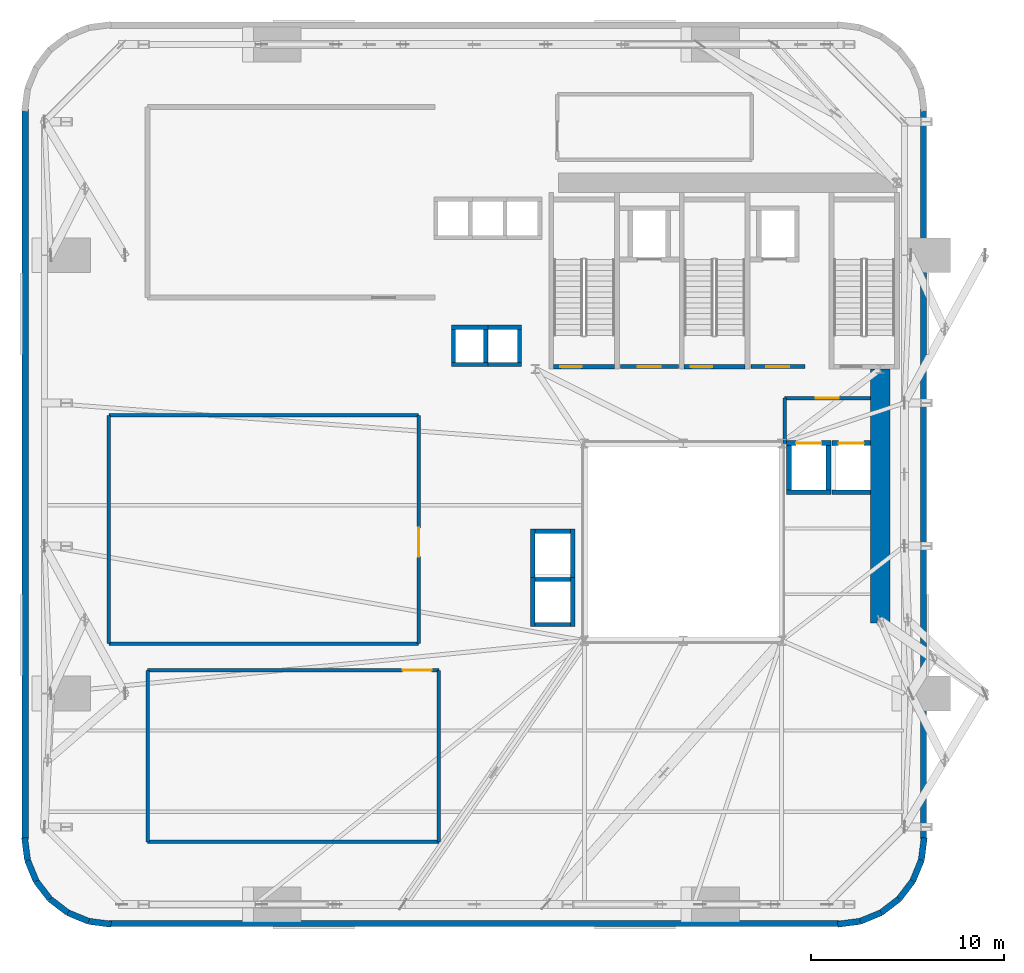
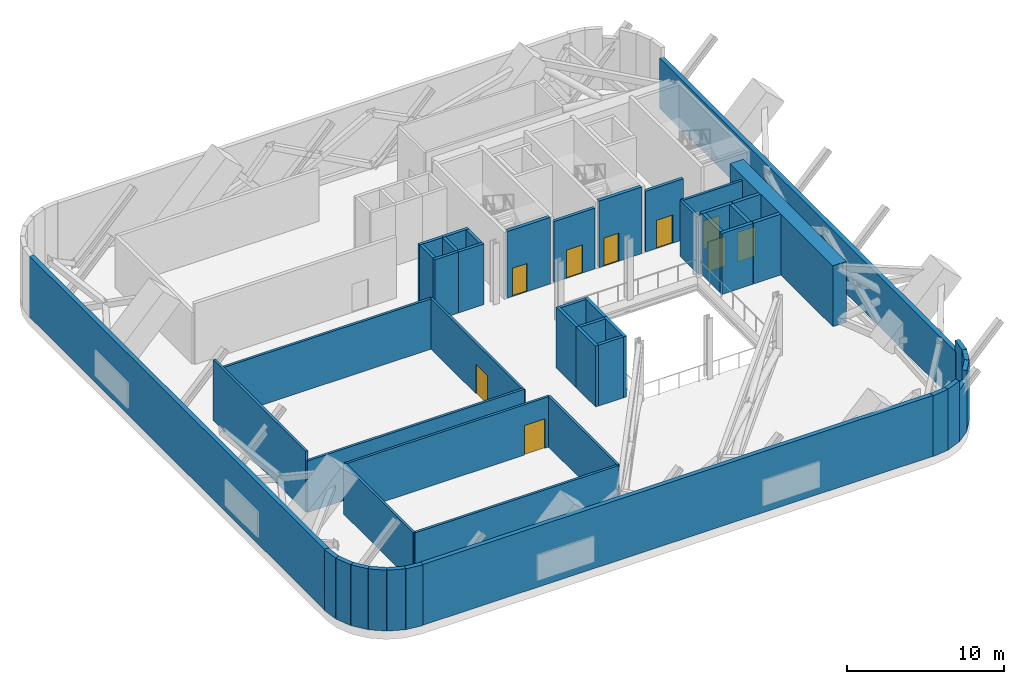
# One storey, part 8 of 12: 50 walls, 9 doors, 9 openings.
"""IFC4 building model written with IfcOpenShell, lengths in metres."""

from ifc_helpers import new_model, si_unit, direction, frame, frame_2d, origin, place, context, subcontext, project, spatial, rectangle, extrude, source, transform, mapped, material, layer, layer_set, type_object, element, fill, save


model = new_model("IFC4")

# Units and contexts
model_context = context("Model", 3, precision=1e-05, world=origin(), true_north=direction((0.0, 1.0)))
body_context = subcontext(model_context, "Body", "Model", "MODEL_VIEW")
ifc_project = project(units=[si_unit("LENGTHUNIT", "METRE"), si_unit("AREAUNIT", "SQUARE_METRE"), si_unit("VOLUMEUNIT", "CUBIC_METRE"), si_unit("PLANEANGLEUNIT", "RADIAN"), si_unit("MASSUNIT", "GRAM", prefix="KILO")], contexts=[model_context])

# Site, building, storey
site_placement = place(None, origin())
site = spatial("IfcSite", under=ifc_project, at=site_placement, CompositionType="ELEMENT")
building_placement = place(site_placement, origin())
building = spatial("IfcBuilding", under=site, at=building_placement, Name="Vardaveli Station Tower", CompositionType="ELEMENT")
storey_placement = place(building_placement, frame((0.0, 0.0, 93.300048828125)))
storey = spatial("IfcBuildingStorey", under=building, at=storey_placement, Name="L24", CompositionType="ELEMENT", Elevation=93.300048828125)

# Walls
ifc_material_1 = material(Name="Concrete C60/75", Category="concrete")
ifc_layer_1 = layer(ifc_material_1, 1.0, Name="Concrete C60/75")
ifc_layer_set_1 = layer_set([ifc_layer_1], Name="Concrete C60/75")
wall_type_1 = type_object("IfcWallType", Name="WAL-CORE-1000", PredefinedType="SHEAR", material=ifc_layer_set_1)
shared_shape_1 = source(origin(), body_context, "Body", "SweptSolid", [
    extrude(rectangle(XDim=13.14990234375, YDim=1.0, at=frame_2d((6.574951171875, 0.0))), origin(), (0.0, 0.0, 1.0), 4.75),
])
wall_1_placement = place(storey_placement, frame((46.5, 17.5, 0.0), z_axis=(0.0, 0.0, 1.0), x_axis=(0.0, 1.0, 0.0)))
element("IfcWall", 1, at=wall_1_placement, inside=storey, type_object=wall_type_1, Name="SW-L24-EAST2", PredefinedType="SHEAR", context=body_context, shape_type="MappedRepresentation", body=[
    mapped(shared_shape_1, transform((0.0, 0.0, 0.0), scale=1.0)),
])
ifc_material_2 = material(Name="Precast concrete C45/55", Category="concrete")
ifc_layer_2 = layer(ifc_material_2, 0.320068359375, Name="Precast concrete C45/55")
ifc_layer_set_2 = layer_set([ifc_layer_2], Name="Precast concrete C45/55")
wall_type_2 = type_object("IfcWallType", Name="WAL-EXT-STONE-320", PredefinedType="SOLIDWALL", material=ifc_layer_set_2)
shared_shape_2 = source(origin(), body_context, "Body", "SweptSolid", [
    extrude(rectangle(XDim=37.7998046875, YDim=0.320068359375, at=frame_2d((18.89990234375, 0.0))), origin(), (0.0, 0.0, 1.0), 4.75),
])
wall_2_placement = place(storey_placement, frame((6.60009765625, 1.9599609375, 0.0), z_axis=(0.0, 0.0, 1.0), x_axis=(1.0, 0.0, 0.0)))
element("IfcWall", 2, at=wall_2_placement, inside=storey, type_object=wall_type_2, Name="EW-L24-S", PredefinedType="SOLIDWALL", context=body_context, shape_type="MappedRepresentation", body=[
    mapped(shared_shape_2, transform((0.0, 0.0, 0.0), scale=1.0)),
])
shared_shape_3 = source(origin(), body_context, "Body", "SweptSolid", [
    extrude(rectangle(XDim=37.800048828125, YDim=0.320068359375, at=frame_2d((18.89990234375, 0.0))), origin(), (0.0, 0.0, 1.0), 4.75),
])
wall_3_placement = place(storey_placement, frame((2.260009765625, 44.10009765625, 0.0), z_axis=(0.0, 0.0, 1.0), x_axis=(0.0, -1.0, 0.0)))
element("IfcWall", 3, at=wall_3_placement, inside=storey, type_object=wall_type_2, Name="EW-L24-W", PredefinedType="SOLIDWALL", context=body_context, shape_type="MappedRepresentation", body=[
    mapped(shared_shape_3, transform((0.0, 0.0, 0.0), scale=1.0)),
])
shared_shape_4 = source(origin(), body_context, "Body", "SweptSolid", [
    extrude(rectangle(XDim=37.800048828125, YDim=0.320068359375, at=frame_2d((18.89990234375, 0.0))), origin(), (0.0, 0.0, 1.0), 3.930908203125),
])
wall_4_placement = place(storey_placement, frame((48.739990234375, 6.300048828125, 0.0), z_axis=(0.0, 0.0, 1.0), x_axis=(0.0, 1.0, 0.0)))
element("IfcWall", 4, at=wall_4_placement, inside=storey, type_object=wall_type_2, Name="EW-L24-E", PredefinedType="SOLIDWALL", context=body_context, shape_type="MappedRepresentation", body=[
    mapped(shared_shape_4, transform((0.0, 0.0, 0.0), scale=1.0)),
])
shared_shape_5 = source(origin(), body_context, "Body", "SweptSolid", [
    extrude(rectangle(XDim=1.170654296875, YDim=0.320068359375, at=frame_2d((0.58544921875, 0.0))), origin(), (0.0, 0.0, 1.0), 4.75),
])
for number, where, z_axis, x_axis, name in (
    (5, (2.224365234375, 6.400634765625, 0.0), (0.0, 0.0, 1.0), (0.128269133229, -0.991739395941, 0.0), "EW-L24-CR1-1"),
    (6, (48.62548828125, 5.23974609375, 0.0), (0.0, 0.0, 1.0), (0.128269133229, 0.991739395941, 0.0), "EW-L24-CR2-6"),
):
    element("IfcWall", number, at=place(storey_placement, frame(where, z_axis=z_axis, x_axis=x_axis)), inside=storey, type_object=wall_type_2, Name=name, PredefinedType="SOLIDWALL", context=body_context, shape_type="MappedRepresentation", body=[
        mapped(shared_shape_5, transform((0.0, 0.0, 0.0), scale=1.0)),
    ])
shared_shape_6 = source(origin(), body_context, "Body", "SweptSolid", [
    extrude(rectangle(XDim=1.1689453125, YDim=0.320068359375, at=frame_2d((0.58447265625, 0.0))), origin(), (0.0, 0.0, 1.0), 4.75),
])
for number, where, z_axis, x_axis, name in (
    (7, (2.37451171875, 5.23974609375, 0.0), (0.0, 0.0, 1.0), (0.381127904695, -0.924522320046, 0.0), "EW-L24-CR1-2"),
    (8, (2.820068359375, 4.158935546875, 0.0), (0.0, 0.0, 1.0), (0.608387696831, -0.793639975269, 0.0), "EW-L24-CR1-3"),
    (9, (47.46875, 3.231201171875, 0.0), (0.0, 0.0, 1.0), (0.608387696831, 0.793639975269, 0.0), "EW-L24-CR2-4"),
    (10, (48.179931640625, 4.158935546875, 0.0), (0.0, 0.0, 1.0), (0.381127904695, 0.924522320046, 0.0), "EW-L24-CR2-5"),
):
    element("IfcWall", number, at=place(storey_placement, frame(where, z_axis=z_axis, x_axis=x_axis)), inside=storey, type_object=wall_type_2, Name=name, PredefinedType="SOLIDWALL", context=body_context, shape_type="MappedRepresentation", body=[
        mapped(shared_shape_6, transform((0.0, 0.0, 0.0), scale=1.0)),
    ])
shared_shape_7 = source(origin(), body_context, "Body", "SweptSolid", [
    extrude(rectangle(XDim=1.168701171875, YDim=0.320068359375, at=frame_2d((0.58447265625, 0.0))), origin(), (0.0, 0.0, 1.0), 4.75),
])
wall_5_placement = place(storey_placement, frame((3.53125, 3.231201171875, 0.0), z_axis=(0.0, 0.0, 1.0), x_axis=(0.793663520347, -0.608356981114, 0.0)))
element("IfcWall", 11, at=wall_5_placement, inside=storey, type_object=wall_type_2, Name="EW-L24-CR1-4", PredefinedType="SOLIDWALL", context=body_context, shape_type="MappedRepresentation", body=[
    mapped(shared_shape_7, transform((0.0, 0.0, 0.0), scale=1.0)),
])
shared_shape_8 = source(origin(), body_context, "Body", "SweptSolid", [
    extrude(rectangle(XDim=1.16943359375, YDim=0.320068359375, at=frame_2d((0.584716796875, 0.0))), origin(), (0.0, 0.0, 1.0), 4.75),
])
for number, where, z_axis, x_axis, name in (
    (12, (4.458740234375, 2.520263671875, 0.0), (0.0, 0.0, 1.0), (0.924479075121, -0.381232789334, 0.0), "EW-L24-CR1-5"),
    (13, (45.460205078125, 2.074462890625, 0.0), (0.0, 0.0, 1.0), (0.924479075121, 0.381232789334, 0.0), "EW-L24-CR2-2"),
):
    element("IfcWall", number, at=place(storey_placement, frame(where, z_axis=z_axis, x_axis=x_axis)), inside=storey, type_object=wall_type_2, Name=name, PredefinedType="SOLIDWALL", context=body_context, shape_type="MappedRepresentation", body=[
        mapped(shared_shape_8, transform((0.0, 0.0, 0.0), scale=1.0)),
    ])
shared_shape_9 = source(origin(), body_context, "Body", "SweptSolid", [
    extrude(rectangle(XDim=1.170166015625, YDim=0.320068359375, at=frame_2d((0.5849609375, 0.0))), origin(), (0.0, 0.0, 1.0), 4.75),
])
for number, where, z_axis, x_axis, name in (
    (14, (5.539794921875, 2.074462890625, 0.0), (0.0, 0.0, 1.0), (0.991762485493, -0.128090485085, 0.0), "EW-L24-CR1-6"),
    (15, (44.299560546875, 1.924560546875, 0.0), (0.0, 0.0, 1.0), (0.991762485493, 0.128090485085, 0.0), "EW-L24-CR2-1"),
):
    element("IfcWall", number, at=place(storey_placement, frame(where, z_axis=z_axis, x_axis=x_axis)), inside=storey, type_object=wall_type_2, Name=name, PredefinedType="SOLIDWALL", context=body_context, shape_type="MappedRepresentation", body=[
        mapped(shared_shape_9, transform((0.0, 0.0, 0.0), scale=1.0)),
    ])
shared_shape_10 = source(origin(), body_context, "Body", "SweptSolid", [
    extrude(rectangle(XDim=1.168701171875, YDim=0.320068359375, at=frame_2d((0.58447265625, 0.0))), origin(), (0.0, 0.0, 1.0), 4.029052734375),
])
wall_6_placement = place(storey_placement, frame((46.541259765625, 2.520263671875, 0.0), z_axis=(0.0, 0.0, 1.0), x_axis=(0.793663520347, 0.608356981114, 0.0)))
element("IfcWall", 16, at=wall_6_placement, inside=storey, type_object=wall_type_2, Name="EW-L24-CR2-3", PredefinedType="SOLIDWALL", context=body_context, shape_type="MappedRepresentation", body=[
    mapped(shared_shape_10, transform((0.0, 0.0, 0.0), scale=1.0)),
])

# Wall, opening, door
ifc_material_3 = material(Name="Concrete C40/50", Category="concrete")
ifc_layer_3 = layer(ifc_material_3, 0.25, Name="Concrete C40/50")
ifc_layer_set_3 = layer_set([ifc_layer_3], Name="Concrete C40/50")
wall_type_3 = type_object("IfcWallType", Name="WAL-SHAFT-250", PredefinedType="SOLIDWALL", material=ifc_layer_set_3)
shared_shape_11 = source(origin(), body_context, "Body", "SweptSolid", [
    extrude(rectangle(XDim=3.14990234375, YDim=0.25, at=frame_2d((1.574951171875, 0.0))), origin(), (0.0, 0.0, 1.0), 5.199951171875),
])
wall_7_placement = place(storey_placement, frame((29.60009765625, 30.77490234375, 0.0), z_axis=(0.0, 0.0, 1.0), x_axis=(1.0, 0.0, 0.0)))
wall_7 = element("IfcWall", 17, at=wall_7_placement, inside=storey, type_object=wall_type_3, Name="W-L24-ST-1S", PredefinedType="SOLIDWALL", context=body_context, shape_type="MappedRepresentation", body=[
    mapped(shared_shape_11, transform((0.0, 0.0, 0.0), scale=1.0)),
])
shared_shape_12 = source(origin(), body_context, "Body", "SweptSolid", [
    extrude(rectangle(XDim=1.10009765625, YDim=2.199951171875, at=frame_2d((0.550048828125, 1.10009765625))), frame((0.0, 0.135009765625, 0.0), z_axis=(0.0, -1.0, 0.0), x_axis=(1.0, 0.0, 0.0)), (0.0, 0.0, 1.0), 0.27001953125),
])
opening_1_placement = place(wall_7_placement, frame((0.35009765625, 0.0, 0.0)))
opening_1 = element("IfcOpeningElement", 18, at=opening_1_placement, cuts=wall_7, Name="Opening D-04", PredefinedType="OPENING", context=body_context, shape_type="MappedRepresentation", body=[
    mapped(shared_shape_12, transform((0.0, 0.0, 0.0), scale=1.0)),
])
ifc_material_4 = material(Name="Steel smokeproof fire doorset", Category="steel")
door_type_1 = type_object("IfcDoorType", Name="DR-ST-1100x2200", OperationType="NOTDEFINED", PredefinedType="DOOR", material=ifc_material_4)
shared_shape_13 = source(origin(), body_context, "Body", "SweptSolid", [
    extrude(rectangle(XDim=1.10009765625, YDim=2.199951171875, at=frame_2d((0.550048828125, 1.10009765625))), frame((0.0, 0.02490234375, 0.0), z_axis=(0.0, -1.0, 0.0), x_axis=(1.0, 0.0, 0.0)), (0.0, 0.0, 1.0), 0.050048828125),
])
door_1_placement = place(opening_1_placement, origin())
door_1 = element("IfcDoor", 19, at=door_1_placement, inside=storey, type_object=door_type_1, Name="DST-1-L24", OperationType="SINGLE_SWING_LEFT", OverallHeight=2.199951171875, OverallWidth=1.10009765625, PredefinedType="DOOR", context=body_context, shape_type="MappedRepresentation", body=[
    mapped(shared_shape_13, transform((0.0, 0.0, 0.0), scale=1.0)),
])
fill(opening_1, door_1)

wall_8_placement = place(storey_placement, frame((36.35009765625, 30.77490234375, 0.0), z_axis=(0.0, 0.0, 1.0), x_axis=(1.0, 0.0, 0.0)))
wall_8 = element("IfcWall", 20, at=wall_8_placement, inside=storey, type_object=wall_type_3, Name="W-L24-ST-2S", PredefinedType="SOLIDWALL", context=body_context, shape_type="MappedRepresentation", body=[
    mapped(shared_shape_11, transform((0.0, 0.0, 0.0), scale=1.0)),
])
opening_2_placement = place(wall_8_placement, frame((0.35009765625, 0.0, 0.0)))
opening_2 = element("IfcOpeningElement", 21, at=opening_2_placement, cuts=wall_8, Name="Opening D-04", PredefinedType="OPENING", context=body_context, shape_type="MappedRepresentation", body=[
    mapped(shared_shape_12, transform((0.0, 0.0, 0.0), scale=1.0)),
])
door_2_placement = place(opening_2_placement, origin())
door_2 = element("IfcDoor", 22, at=door_2_placement, inside=storey, type_object=door_type_1, Name="DST-2-L24", OperationType="SINGLE_SWING_LEFT", OverallHeight=2.199951171875, OverallWidth=1.10009765625, PredefinedType="DOOR", context=body_context, shape_type="MappedRepresentation", body=[
    mapped(shared_shape_13, transform((0.0, 0.0, 0.0), scale=1.0)),
])
fill(opening_2, door_2)

ifc_layer_4 = layer(ifc_material_3, 0.219970703125, Name="Concrete C40/50")
ifc_layer_set_4 = layer_set([ifc_layer_4], Name="Concrete C40/50")
wall_type_4 = type_object("IfcWallType", Name="WAL-FFLOBBY-220", PredefinedType="SOLIDWALL", material=ifc_layer_set_4)
shared_shape_14 = source(origin(), body_context, "Body", "SweptSolid", [
    extrude(rectangle(XDim=3.0, YDim=0.219970703125, at=frame_2d((1.5, 0.0))), origin(), (0.0, 0.0, 1.0), 4.75),
])
wall_9_placement = place(storey_placement, frame((33.050048828125, 30.780029296875, 0.0), z_axis=(0.0, 0.0, 1.0), x_axis=(1.0, 0.0, 0.0)))
wall_9 = element("IfcWall", 23, at=wall_9_placement, inside=storey, type_object=wall_type_4, Name="W-L24-FFL1S", PredefinedType="SOLIDWALL", context=body_context, shape_type="MappedRepresentation", body=[
    mapped(shared_shape_14, transform((0.0, 0.0, 0.0), scale=1.0)),
])
shared_shape_15 = source(origin(), body_context, "Body", "SweptSolid", [
    extrude(rectangle(XDim=1.199951171875, YDim=2.199951171875, at=frame_2d((0.60009765625, 1.10009765625))), frame((0.0, 0.1201171875, 0.0), z_axis=(0.0, -1.0, 0.0), x_axis=(1.0, 0.0, 0.0)), (0.0, 0.0, 1.0), 0.239990234375),
])
opening_3_placement = place(wall_9_placement, frame((0.89990234375, 0.0, 0.0)))
opening_3 = element("IfcOpeningElement", 24, at=opening_3_placement, cuts=wall_9, Name="Opening D-03", PredefinedType="OPENING", context=body_context, shape_type="MappedRepresentation", body=[
    mapped(shared_shape_15, transform((0.0, 0.0, 0.0), scale=1.0)),
])
door_type_2 = type_object("IfcDoorType", Name="DR-FFL-1200x2200", OperationType="NOTDEFINED", PredefinedType="DOOR", material=ifc_material_4)
shared_shape_16 = source(origin(), body_context, "Body", "SweptSolid", [
    extrude(rectangle(XDim=1.199951171875, YDim=2.199951171875, at=frame_2d((0.60009765625, 1.10009765625))), frame((0.0, 0.02490234375, 0.0), z_axis=(0.0, -1.0, 0.0), x_axis=(1.0, 0.0, 0.0)), (0.0, 0.0, 1.0), 0.050048828125),
])
door_3_placement = place(opening_3_placement, origin())
door_3 = element("IfcDoor", 25, at=door_3_placement, inside=storey, type_object=door_type_2, Name="DFFL1-L24", OperationType="SINGLE_SWING_LEFT", OverallHeight=2.199951171875, OverallWidth=1.199951171875, PredefinedType="DOOR", context=body_context, shape_type="MappedRepresentation", body=[
    mapped(shared_shape_16, transform((0.0, 0.0, 0.0), scale=1.0)),
])
fill(opening_3, door_3)

shared_shape_17 = source(origin(), body_context, "Body", "SweptSolid", [
    extrude(rectangle(XDim=2.800048828125, YDim=0.219970703125, at=frame_2d((1.39990234375, 0.0))), origin(), (0.0, 0.0, 1.0), 4.75),
])
wall_10_placement = place(storey_placement, frame((39.800048828125, 30.780029296875, 0.0), z_axis=(0.0, 0.0, 1.0), x_axis=(1.0, 0.0, 0.0)))
wall_10 = element("IfcWall", 26, at=wall_10_placement, inside=storey, type_object=wall_type_4, Name="W-L24-FFL2S", PredefinedType="SOLIDWALL", context=body_context, shape_type="MappedRepresentation", body=[
    mapped(shared_shape_17, transform((0.0, 0.0, 0.0), scale=1.0)),
])
opening_4_placement = place(wall_10_placement, frame((0.800048828125, 0.0, 0.0)))
opening_4 = element("IfcOpeningElement", 27, at=opening_4_placement, cuts=wall_10, Name="Opening D-03", PredefinedType="OPENING", context=body_context, shape_type="MappedRepresentation", body=[
    mapped(shared_shape_15, transform((0.0, 0.0, 0.0), scale=1.0)),
])
door_4_placement = place(opening_4_placement, origin())
door_4 = element("IfcDoor", 28, at=door_4_placement, inside=storey, type_object=door_type_2, Name="DFFL2-L24", OperationType="SINGLE_SWING_RIGHT", OverallHeight=2.199951171875, OverallWidth=1.199951171875, PredefinedType="DOOR", context=body_context, shape_type="MappedRepresentation", body=[
    mapped(shared_shape_16, transform((0.0, 0.0, 0.0), scale=1.0)),
])
fill(opening_4, door_4)

# Walls
shared_shape_18 = source(origin(), body_context, "Body", "SweptSolid", [
    extrude(rectangle(XDim=1.89013671875, YDim=0.219970703125, at=frame_2d((0.945068359375, 0.0))), origin(), (0.0, 0.0, 1.0), 4.75),
])
for number, where, z_axis, x_axis, name in (
    (29, (24.304931640625, 30.889892578125, 0.0), (0.0, 0.0, 1.0), (1.0, 0.0, 0.0), "SHW-SHU-01-L24-S"),
    (30, (24.304931640625, 32.81005859375, 0.0), (0.0, 0.0, 1.0), (1.0, 0.0, 0.0), "SHW-SHU-01-L24-N"),
    (31, (26.054931640625, 30.889892578125, 0.0), (0.0, 0.0, 1.0), (1.0, 0.0, 0.0), "SHW-SHU-02-L24-S"),
    (32, (26.054931640625, 32.81005859375, 0.0), (0.0, 0.0, 1.0), (1.0, 0.0, 0.0), "SHW-SHU-02-L24-N"),
):
    element("IfcWall", number, at=place(storey_placement, frame(where, z_axis=z_axis, x_axis=x_axis)), inside=storey, type_object=wall_type_4, Name=name, PredefinedType="SOLIDWALL", context=body_context, shape_type="MappedRepresentation", body=[
        mapped(shared_shape_18, transform((0.0, 0.0, 0.0), scale=1.0)),
    ])
shared_shape_19 = source(origin(), body_context, "Body", "SweptSolid", [
    extrude(rectangle(XDim=1.699951171875, YDim=0.219970703125, at=frame_2d((0.85009765625, 0.0))), origin(), (0.0, 0.0, 1.0), 4.75),
])
for number, where, z_axis, x_axis, name in (
    (33, (24.4150390625, 31.0, 0.0), (0.0, 0.0, 1.0), (0.0, 1.0, 0.0), "SHW-SHU-01-L24-W"),
    (34, (26.0849609375, 31.0, 0.0), (0.0, 0.0, 1.0), (0.0, 1.0, 0.0), "SHW-SHU-01-L24-E"),
    (35, (27.8349609375, 31.0, 0.0), (0.0, 0.0, 1.0), (0.0, 1.0, 0.0), "SHW-SHU-02-L24-E"),
):
    element("IfcWall", number, at=place(storey_placement, frame(where, z_axis=z_axis, x_axis=x_axis)), inside=storey, type_object=wall_type_4, Name=name, PredefinedType="SOLIDWALL", context=body_context, shape_type="MappedRepresentation", body=[
        mapped(shared_shape_19, transform((0.0, 0.0, 0.0), scale=1.0)),
    ])
shared_shape_20 = source(origin(), body_context, "Body", "SweptSolid", [
    extrude(rectangle(XDim=1.85009765625, YDim=0.219970703125, at=frame_2d((0.925048828125, 0.0))), origin(), (0.0, 0.0, 1.0), 4.75),
])
for number, where, z_axis, x_axis, name in (
    (36, (28.625, 17.43994140625, 0.0), (0.0, 0.0, 1.0), (1.0, 0.0, 0.0), "SHW-OBS-01-L24-S"),
    (37, (28.625, 19.760009765625, 0.0), (0.0, 0.0, 1.0), (1.0, 0.0, 0.0), "SHW-OBS-01-L24-N"),
    (38, (28.625, 22.260009765625, 0.0), (0.0, 0.0, 1.0), (1.0, 0.0, 0.0), "SHW-OBS-02-L24-N"),
):
    element("IfcWall", number, at=place(storey_placement, frame(where, z_axis=z_axis, x_axis=x_axis)), inside=storey, type_object=wall_type_4, Name=name, PredefinedType="SOLIDWALL", context=body_context, shape_type="MappedRepresentation", body=[
        mapped(shared_shape_20, transform((0.0, 0.0, 0.0), scale=1.0)),
    ])
shared_shape_21 = source(origin(), body_context, "Body", "SweptSolid", [
    extrude(rectangle(XDim=2.5400390625, YDim=0.219970703125, at=frame_2d((1.27001953125, 0.0))), origin(), (0.0, 0.0, 1.0), 4.75),
])
for number, where, z_axis, x_axis, name in (
    (39, (28.514892578125, 17.330078125, 0.0), (0.0, 0.0, 1.0), (0.0, 1.0, 0.0), "SHW-OBS-01-L24-W"),
    (40, (30.5849609375, 17.330078125, 0.0), (0.0, 0.0, 1.0), (0.0, 1.0, 0.0), "SHW-OBS-01-L24-E"),
    (41, (28.514892578125, 19.830078125, 0.0), (0.0, 0.0, 1.0), (0.0, 1.0, 0.0), "SHW-OBS-02-L24-W"),
    (42, (30.5849609375, 19.830078125, 0.0), (0.0, 0.0, 1.0), (0.0, 1.0, 0.0), "SHW-OBS-02-L24-E"),
):
    element("IfcWall", number, at=place(storey_placement, frame(where, z_axis=z_axis, x_axis=x_axis)), inside=storey, type_object=wall_type_4, Name=name, PredefinedType="SOLIDWALL", context=body_context, shape_type="MappedRepresentation", body=[
        mapped(shared_shape_21, transform((0.0, 0.0, 0.0), scale=1.0)),
    ])
shared_shape_22 = source(origin(), body_context, "Body", "SweptSolid", [
    extrude(rectangle(XDim=2.300048828125, YDim=0.25, at=frame_2d((1.14990234375, 0.0))), origin(), (0.0, 0.0, 1.0), 4.75),
])
wall_11_placement = place(storey_placement, frame((41.64990234375, 24.27490234375, 0.0), z_axis=(0.0, 0.0, 1.0), x_axis=(1.0, 0.0, 0.0)))
element("IfcWall", 43, at=wall_11_placement, inside=storey, type_object=wall_type_3, Name="SHW-SRV-01-L24-S", PredefinedType="SOLIDWALL", context=body_context, shape_type="MappedRepresentation", body=[
    mapped(shared_shape_22, transform((0.0, 0.0, 0.0), scale=1.0)),
])

# Wall, opening, door
wall_12_placement = place(storey_placement, frame((41.64990234375, 26.824951171875, 0.0), z_axis=(0.0, 0.0, 1.0), x_axis=(1.0, 0.0, 0.0)))
wall_12 = element("IfcWall", 44, at=wall_12_placement, inside=storey, type_object=wall_type_3, Name="SHW-SRV-01-L24-N", PredefinedType="SOLIDWALL", context=body_context, shape_type="MappedRepresentation", body=[
    mapped(shared_shape_22, transform((0.0, 0.0, 0.0), scale=1.0)),
])
shared_shape_23 = source(origin(), body_context, "Body", "SweptSolid", [
    extrude(rectangle(XDim=1.300048828125, YDim=2.300048828125, at=frame_2d((0.64990234375, 1.14990234375))), frame((0.0, 0.135009765625, 0.0), z_axis=(0.0, -1.0, 0.0), x_axis=(1.0, 0.0, 0.0)), (0.0, 0.0, 1.0), 0.27001953125),
])
opening_5_placement = place(wall_12_placement, frame((0.5, 0.0, 0.0)))
opening_5 = element("IfcOpeningElement", 45, at=opening_5_placement, cuts=wall_12, Name="Opening LD-03", PredefinedType="OPENING", context=body_context, shape_type="MappedRepresentation", body=[
    mapped(shared_shape_23, transform((0.0, 0.0, 0.0), scale=1.0)),
])
ifc_material_5 = material(Name="Brushed stainless steel", Category="steel")
door_type_3 = type_object("IfcDoorType", Name="DR-LD-1300x2300", OperationType="DOUBLE_DOOR_SLIDING", PredefinedType="DOOR", material=ifc_material_5)
shared_shape_24 = source(origin(), body_context, "Body", "SweptSolid", [
    extrude(rectangle(XDim=1.300048828125, YDim=2.300048828125, at=frame_2d((0.64990234375, 1.14990234375))), frame((0.0, 0.02490234375, 0.0), z_axis=(0.0, -1.0, 0.0), x_axis=(1.0, 0.0, 0.0)), (0.0, 0.0, 1.0), 0.050048828125),
])
door_5_placement = place(opening_5_placement, origin())
door_5 = element("IfcDoor", 46, at=door_5_placement, inside=storey, type_object=door_type_3, Name="LD-SRV-01-L24", OperationType="DOUBLE_DOOR_SLIDING", OverallHeight=2.300048828125, OverallWidth=1.300048828125, PredefinedType="DOOR", context=body_context, shape_type="MappedRepresentation", body=[
    mapped(shared_shape_24, transform((0.0, 0.0, 0.0), scale=1.0)),
])
fill(opening_5, door_5)

# Walls
for number, where, z_axis, x_axis, name in (
    (47, (41.77490234375, 24.39990234375, 0.0), (0.0, 0.0, 1.0), (0.0, 1.0, 0.0), "SHW-SRV-01-L24-W"),
    (48, (43.824951171875, 24.39990234375, 0.0), (0.0, 0.0, 1.0), (0.0, 1.0, 0.0), "SHW-SRV-01-L24-E"),
):
    element("IfcWall", number, at=place(storey_placement, frame(where, z_axis=z_axis, x_axis=x_axis)), inside=storey, type_object=wall_type_3, Name=name, PredefinedType="SOLIDWALL", context=body_context, shape_type="MappedRepresentation", body=[
        mapped(shared_shape_22, transform((0.0, 0.0, 0.0), scale=1.0)),
    ])
shared_shape_25 = source(origin(), body_context, "Body", "SweptSolid", [
    extrude(rectangle(XDim=2.0, YDim=0.25, at=frame_2d((1.0, 0.0))), origin(), (0.0, 0.0, 1.0), 4.75),
])
wall_13_placement = place(storey_placement, frame((44.0, 24.27490234375, 0.0), z_axis=(0.0, 0.0, 1.0), x_axis=(1.0, 0.0, 0.0)))
element("IfcWall", 49, at=wall_13_placement, inside=storey, type_object=wall_type_3, Name="SHW-SRV-02-L24-S", PredefinedType="SOLIDWALL", context=body_context, shape_type="MappedRepresentation", body=[
    mapped(shared_shape_25, transform((0.0, 0.0, 0.0), scale=1.0)),
])

# Wall, opening, door
wall_14_placement = place(storey_placement, frame((44.0, 26.824951171875, 0.0), z_axis=(0.0, 0.0, 1.0), x_axis=(1.0, 0.0, 0.0)))
wall_14 = element("IfcWall", 50, at=wall_14_placement, inside=storey, type_object=wall_type_3, Name="SHW-SRV-02-L24-N", PredefinedType="SOLIDWALL", context=body_context, shape_type="MappedRepresentation", body=[
    mapped(shared_shape_25, transform((0.0, 0.0, 0.0), scale=1.0)),
])
opening_6_placement = place(wall_14_placement, frame((0.35009765625, 0.0, 0.0)))
opening_6 = element("IfcOpeningElement", 51, at=opening_6_placement, cuts=wall_14, Name="Opening LD-03", PredefinedType="OPENING", context=body_context, shape_type="MappedRepresentation", body=[
    mapped(shared_shape_23, transform((0.0, 0.0, 0.0), scale=1.0)),
])
door_6_placement = place(opening_6_placement, origin())
door_6 = element("IfcDoor", 52, at=door_6_placement, inside=storey, type_object=door_type_3, Name="LD-SRV-02-L24", OperationType="DOUBLE_DOOR_SLIDING", OverallHeight=2.300048828125, OverallWidth=1.300048828125, PredefinedType="DOOR", context=body_context, shape_type="MappedRepresentation", body=[
    mapped(shared_shape_24, transform((0.0, 0.0, 0.0), scale=1.0)),
])
fill(opening_6, door_6)

ifc_material_6 = material(Name="Fire-rated gypsum stud partition")
ifc_layer_5 = layer(ifc_material_6, 0.179931640625, Name="Fire-rated gypsum stud partition")
ifc_layer_set_5 = layer_set([ifc_layer_5], Name="Fire-rated gypsum stud partition")
wall_type_5 = type_object("IfcWallType", Name="WAL-CORR-180", PredefinedType="PARTITIONING", material=ifc_layer_set_5)
shared_shape_26 = source(origin(), body_context, "Body", "SweptSolid", [
    extrude(rectangle(XDim=15.06982421875, YDim=0.179931640625, at=frame_2d((7.534912109375, 0.0))), origin(), (0.0, 0.0, 1.0), 3.927978515625),
])
wall_15_placement = place(storey_placement, frame((8.590087890625, 15.06005859375, 0.0), z_axis=(0.0, 0.0, 1.0), x_axis=(1.0, 0.0, 0.0)))
wall_15 = element("IfcWall", 53, at=wall_15_placement, inside=storey, type_object=wall_type_5, Name="W-L24-PL1-N", PredefinedType="PARTITIONING", context=body_context, shape_type="MappedRepresentation", body=[
    mapped(shared_shape_26, transform((0.0, 0.0, 0.0), scale=1.0)),
])
shared_shape_27 = source(origin(), body_context, "Body", "SweptSolid", [
    extrude(rectangle(XDim=1.5, YDim=2.300048828125, at=frame_2d((0.75, 1.14990234375))), frame((0.0, 0.10009765625, 0.0), z_axis=(0.0, -1.0, 0.0), x_axis=(1.0, 0.0, 0.0)), (0.0, 0.0, 1.0), 0.199951171875),
])
opening_7_placement = place(wall_15_placement, frame((13.199951171875, 0.0, 0.0)))
opening_7 = element("IfcOpeningElement", 54, at=opening_7_placement, cuts=wall_15, Name="Opening D-02", PredefinedType="OPENING", context=body_context, shape_type="MappedRepresentation", body=[
    mapped(shared_shape_27, transform((0.0, 0.0, 0.0), scale=1.0)),
])
ifc_material_7 = material(Name="Galvanised steel acoustic doorset", Category="steel")
door_type_4 = type_object("IfcDoorType", Name="DR-PLANT-1500x2300", OperationType="DOUBLE_DOOR_SINGLE_SWING", PredefinedType="DOOR", material=ifc_material_7)
shared_shape_28 = source(origin(), body_context, "Body", "SweptSolid", [
    extrude(rectangle(XDim=1.5, YDim=2.300048828125, at=frame_2d((0.75, 1.14990234375))), frame((0.0, 0.02490234375, 0.0), z_axis=(0.0, -1.0, 0.0), x_axis=(1.0, 0.0, 0.0)), (0.0, 0.0, 1.0), 0.050048828125),
])
door_7_placement = place(opening_7_placement, origin())
door_7 = element("IfcDoor", 55, at=door_7_placement, inside=storey, type_object=door_type_4, Name="D-L24-P1", OperationType="DOUBLE_DOOR_SINGLE_SWING", OverallHeight=2.300048828125, OverallWidth=1.5, PredefinedType="DOOR", context=body_context, shape_type="MappedRepresentation", body=[
    mapped(shared_shape_28, transform((0.0, 0.0, 0.0), scale=1.0)),
])
fill(opening_7, door_7)

# Wall
wall_16_placement = place(storey_placement, frame((8.590087890625, 6.18994140625, 0.0), z_axis=(0.0, 0.0, 1.0), x_axis=(1.0, 0.0, 0.0)))
element("IfcWall", 56, at=wall_16_placement, inside=storey, type_object=wall_type_5, Name="W-L24-PL1-S", PredefinedType="PARTITIONING", context=body_context, shape_type="MappedRepresentation", body=[
    mapped(shared_shape_26, transform((0.0, 0.0, 0.0), scale=1.0)),
])

# Wall, opening, door
shared_shape_29 = source(origin(), body_context, "Body", "SweptSolid", [
    extrude(rectangle(XDim=11.820068359375, YDim=0.179931640625, at=frame_2d((5.91015625, 0.0))), origin(), (0.0, 0.0, 1.0), 3.927978515625),
])
wall_17_placement = place(storey_placement, frame((22.610107421875, 16.43994140625, 0.0), z_axis=(0.0, 0.0, 1.0), x_axis=(0.0, 1.0, 0.0)))
wall_17 = element("IfcWall", 57, at=wall_17_placement, inside=storey, type_object=wall_type_5, Name="W-L24-PL4-E", PredefinedType="PARTITIONING", context=body_context, shape_type="MappedRepresentation", body=[
    mapped(shared_shape_29, transform((0.0, 0.0, 0.0), scale=1.0)),
])
opening_8_placement = place(wall_17_placement, frame((4.5, 0.0, 0.0)))
opening_8 = element("IfcOpeningElement", 58, at=opening_8_placement, cuts=wall_17, Name="Opening D-02", PredefinedType="OPENING", context=body_context, shape_type="MappedRepresentation", body=[
    mapped(shared_shape_27, transform((0.0, 0.0, 0.0), scale=1.0)),
])
door_8_placement = place(opening_8_placement, origin())
door_8 = element("IfcDoor", 59, at=door_8_placement, inside=storey, type_object=door_type_4, Name="D-L24-P4", OperationType="DOUBLE_DOOR_SINGLE_SWING", OverallHeight=2.300048828125, OverallWidth=1.5, PredefinedType="DOOR", context=body_context, shape_type="MappedRepresentation", body=[
    mapped(shared_shape_28, transform((0.0, 0.0, 0.0), scale=1.0)),
])
fill(opening_8, door_8)

shared_shape_30 = source(origin(), body_context, "Body", "SweptSolid", [
    extrude(rectangle(XDim=4.447998046875, YDim=0.179931640625, at=frame_2d((2.22412109375, 0.0))), origin(), (0.0, 0.0, 1.0), 4.3818359375),
])
wall_18_placement = place(storey_placement, frame((41.550048828125, 29.14990234375, 0.0), z_axis=(0.0, 0.0, 1.0), x_axis=(1.0, 0.0, 0.0)))
wall_18 = element("IfcWall", 60, at=wall_18_placement, inside=storey, type_object=wall_type_5, Name="W-L24-SVFN", PredefinedType="PARTITIONING", context=body_context, shape_type="MappedRepresentation", body=[
    mapped(shared_shape_30, transform((0.0, 0.0, 0.0), scale=1.0)),
])
shared_shape_31 = source(origin(), body_context, "Body", "SweptSolid", [
    extrude(rectangle(XDim=1.199951171875, YDim=2.199951171875, at=frame_2d((0.60009765625, 1.10009765625))), frame((0.0, 0.10009765625, 0.0), z_axis=(0.0, -1.0, 0.0), x_axis=(1.0, 0.0, 0.0)), (0.0, 0.0, 1.0), 0.199951171875),
])
opening_9_placement = place(wall_18_placement, frame((1.60009765625, 0.0, 0.0)))
opening_9 = element("IfcOpeningElement", 61, at=opening_9_placement, cuts=wall_18, Name="Opening D-03", PredefinedType="OPENING", context=body_context, shape_type="MappedRepresentation", body=[
    mapped(shared_shape_31, transform((0.0, 0.0, 0.0), scale=1.0)),
])
door_9_placement = place(opening_9_placement, origin())
door_9 = element("IfcDoor", 62, at=door_9_placement, inside=storey, type_object=door_type_2, Name="D-L24-SVF", OperationType="SINGLE_SWING_RIGHT", OverallHeight=2.199951171875, OverallWidth=1.199951171875, PredefinedType="DOOR", context=body_context, shape_type="MappedRepresentation", body=[
    mapped(shared_shape_16, transform((0.0, 0.0, 0.0), scale=1.0)),
])
fill(opening_9, door_9)

# Walls
shared_shape_32 = source(origin(), body_context, "Body", "SweptSolid", [
    extrude(rectangle(XDim=16.02001953125, YDim=0.179931640625, at=frame_2d((8.010009765625, 0.0))), origin(), (0.0, 0.0, 1.0), 4.02587890625),
])
wall_19_placement = place(storey_placement, frame((6.590087890625, 16.43994140625, 0.0), z_axis=(0.0, 0.0, 1.0), x_axis=(1.0, 0.0, 0.0)))
element("IfcWall", 63, at=wall_19_placement, inside=storey, type_object=wall_type_5, Name="W-L24-PL4-S", PredefinedType="PARTITIONING", context=body_context, shape_type="MappedRepresentation", body=[
    mapped(shared_shape_32, transform((0.0, 0.0, 0.0), scale=1.0)),
])
shared_shape_33 = source(origin(), body_context, "Body", "SweptSolid", [
    extrude(rectangle(XDim=16.02001953125, YDim=0.179931640625, at=frame_2d((8.010009765625, 0.0))), origin(), (0.0, 0.0, 1.0), 3.927978515625),
])
wall_20_placement = place(storey_placement, frame((6.590087890625, 28.260009765625, 0.0), z_axis=(0.0, 0.0, 1.0), x_axis=(1.0, 0.0, 0.0)))
element("IfcWall", 64, at=wall_20_placement, inside=storey, type_object=wall_type_5, Name="W-L24-PL4-N", PredefinedType="PARTITIONING", context=body_context, shape_type="MappedRepresentation", body=[
    mapped(shared_shape_33, transform((0.0, 0.0, 0.0), scale=1.0)),
])
shared_shape_34 = source(origin(), body_context, "Body", "SweptSolid", [
    extrude(rectangle(XDim=11.820068359375, YDim=0.179931640625, at=frame_2d((5.91015625, 0.0))), origin(), (0.0, 0.0, 1.0), 4.75),
])
wall_21_placement = place(storey_placement, frame((6.590087890625, 16.43994140625, 0.0), z_axis=(0.0, 0.0, 1.0), x_axis=(0.0, 1.0, 0.0)))
element("IfcWall", 65, at=wall_21_placement, inside=storey, type_object=wall_type_5, Name="W-L24-PL4-W", PredefinedType="PARTITIONING", context=body_context, shape_type="MappedRepresentation", body=[
    mapped(shared_shape_34, transform((0.0, 0.0, 0.0), scale=1.0)),
])
shared_shape_35 = source(origin(), body_context, "Body", "SweptSolid", [
    extrude(rectangle(XDim=8.8701171875, YDim=0.179931640625, at=frame_2d((4.43505859375, 0.0))), origin(), (0.0, 0.0, 1.0), 3.927978515625),
])
for number, where, z_axis, x_axis, name in (
    (66, (8.590087890625, 6.18994140625, 0.0), (0.0, 0.0, 1.0), (0.0, 1.0, 0.0), "W-L24-PL1-W"),
    (67, (23.659912109375, 6.18994140625, 0.0), (0.0, 0.0, 1.0), (0.0, 1.0, 0.0), "W-L24-PL1-E"),
):
    element("IfcWall", number, at=place(storey_placement, frame(where, z_axis=z_axis, x_axis=x_axis)), inside=storey, type_object=wall_type_5, Name=name, PredefinedType="PARTITIONING", context=body_context, shape_type="MappedRepresentation", body=[
        mapped(shared_shape_35, transform((0.0, 0.0, 0.0), scale=1.0)),
    ])
shared_shape_36 = source(origin(), body_context, "Body", "SweptSolid", [
    extrude(rectangle(XDim=2.349853515625, YDim=0.179931640625, at=frame_2d((1.1748046875, 0.0))), origin(), (0.0, 0.0, 1.0), 4.3818359375),
])
wall_22_placement = place(storey_placement, frame((41.550048828125, 26.800048828125, 0.0), z_axis=(0.0, 0.0, 1.0), x_axis=(0.0, 1.0, 0.0)))
element("IfcWall", 68, at=wall_22_placement, inside=storey, type_object=wall_type_5, Name="W-L24-SVFW", PredefinedType="PARTITIONING", context=body_context, shape_type="MappedRepresentation", body=[
    mapped(shared_shape_36, transform((0.0, 0.0, 0.0), scale=1.0)),
])

save(model, "model.ifc")
